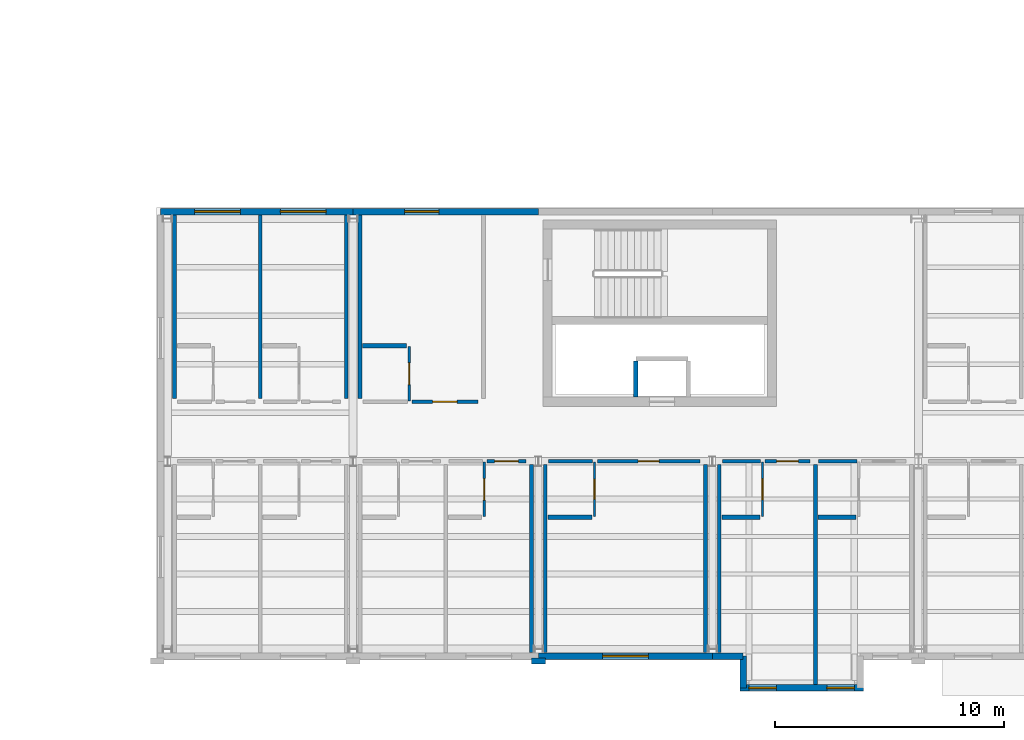
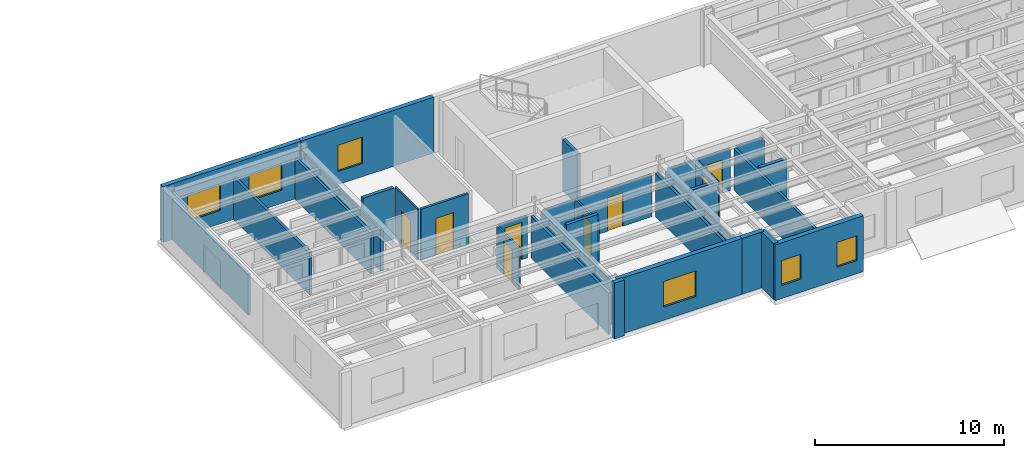
# One storey, part 15 of 34: 32 walls, 8 doors, 6 windows, 14 openings.
"""IFC4 building model written with IfcOpenShell, lengths in metres."""

from ifc_helpers import new_model, si_unit, direction, frame, frame_2d, origin, place, context, subcontext, project, spatial, rectangle, extrude, material, layer, layer_set, type_object, element, fill, save


model = new_model("IFC4")

# Units and contexts
model_context = context("Model", 3, precision=1e-05, world=origin(), true_north=direction((0.0, 1.0)))
body_context = subcontext(model_context, "Body", "Model", "MODEL_VIEW")
ifc_project = project(units=[si_unit("LENGTHUNIT", "METRE"), si_unit("AREAUNIT", "SQUARE_METRE"), si_unit("VOLUMEUNIT", "CUBIC_METRE"), si_unit("PLANEANGLEUNIT", "RADIAN"), si_unit("MASSUNIT", "GRAM", prefix="KILO")], contexts=[model_context])

# Site, building, storey
site_placement = place(None, origin())
site = spatial("IfcSite", under=ifc_project, at=site_placement, CompositionType="ELEMENT")
building_placement = place(site_placement, origin())
building = spatial("IfcBuilding", under=site, at=building_placement, Name="Sollismere Congress Hotel", CompositionType="ELEMENT")
storey_placement = place(building_placement, frame((0.0, 0.0, 23.39990234375)))
storey = spatial("IfcBuildingStorey", under=building, at=storey_placement, Name="L05", CompositionType="ELEMENT", Elevation=23.39990234375)

# Wall, opening, window
ifc_material_1 = material(Name="Colorado Buff Sandstone Rainscreen on Insulated Backup", Category="masonry")
ifc_layer_1 = layer(ifc_material_1, 0.284912109375, Name="Colorado Buff Sandstone Rainscreen on Insulated Backup")
ifc_layer_set_1 = layer_set([ifc_layer_1], Name="Colorado Buff Sandstone Rainscreen on Insulated Backup")
wall_type_1 = type_object("IfcWallType", Name="WL-EXT285", PredefinedType="STANDARD", material=ifc_layer_set_1)
wall_1_placement = place(storey_placement, frame((50.39990234375, -0.31005859375, 0.0), z_axis=(0.0, 0.0, 1.0), x_axis=(1.0, 0.0, 0.0)))
wall_1 = element("IfcWall", 1, at=wall_1_placement, inside=storey, type_object=wall_type_1, Name="Exterior wall EW-L05-569", PredefinedType="STANDARD", context=body_context, shape_type="SweptSolid", body=[
    extrude(rectangle(XDim=7.60009765625, YDim=0.284912109375, at=frame_2d((3.800048828125, 0.0))), origin(), (0.0, 0.0, 1.0), 3.60009765625),
])
opening_1_placement = place(wall_1_placement, frame((2.800048828125, 0.0, 0.85009765625)))
opening_1 = element("IfcOpeningElement", 2, at=opening_1_placement, cuts=wall_1, Name="Opening W-L05-429", PredefinedType="OPENING", context=body_context, shape_type="SweptSolid", body=[
    extrude(rectangle(XDim=2.0, YDim=1.64990234375, at=frame_2d((1.0, 0.824951171875))), frame((0.0, 0.15234375, 0.0), z_axis=(0.0, -1.0, 0.0), x_axis=(1.0, 0.0, 0.0)), (0.0, 0.0, 1.0), 0.304931640625),
])
ifc_material_2 = material(Name="Thermally Broken Bronze Aluminum & Low-E Glass", Category="aluminium")
window_type_1 = type_object("IfcWindowType", Name="WN-P200x165", PartitioningType="SINGLE_PANEL", PredefinedType="WINDOW", material=ifc_material_2)
window_1_placement = place(opening_1_placement, origin())
window_1 = element("IfcWindow", 3, at=window_1_placement, inside=storey, type_object=window_type_1, Name="WIN-W-L05-429", OverallHeight=1.64990234375, OverallWidth=2.0, PartitioningType="SINGLE_PANEL", PredefinedType="WINDOW", context=body_context, shape_type="SweptSolid", body=[
    extrude(rectangle(XDim=2.0, YDim=1.64990234375, at=frame_2d((1.0, 0.824951171875))), frame((0.0, 0.030029296875, 0.0), z_axis=(0.0, -1.0, 0.0), x_axis=(1.0, 0.0, 0.0)), (0.0, 0.0, 1.0), 0.06005859375),
])
fill(opening_1, window_1)

# Wall
wall_2_placement = place(storey_placement, frame((58.0, -0.31005859375, 0.0), z_axis=(0.0, 0.0, 1.0), x_axis=(1.0, 0.0, 0.0)))
element("IfcWall", 4, at=wall_2_placement, inside=storey, type_object=wall_type_1, Name="Exterior wall EW-L05-571", PredefinedType="STANDARD", context=body_context, shape_type="SweptSolid", body=[
    extrude(rectangle(XDim=1.340087890625, YDim=0.284912109375, at=frame_2d((0.669921875, 0.0))), origin(), (0.0, 0.0, 1.0), 3.60009765625),
])

# Wall, openings, windows
wall_3_placement = place(storey_placement, frame((59.199951171875, -1.699951171875, 0.0), z_axis=(0.0, 0.0, 1.0), x_axis=(1.0, 0.0, 0.0)))
wall_3 = element("IfcWall", 5, at=wall_3_placement, inside=storey, type_object=wall_type_1, Name="Exterior wall EW-L05-573", PredefinedType="STANDARD", context=body_context, shape_type="SweptSolid", body=[
    extrude(rectangle(XDim=5.400146484375, YDim=0.284912109375, at=frame_2d((2.7001953125, 0.0))), origin(), (0.0, 0.0, 1.0), 3.60009765625),
])
opening_2_placement = place(wall_3_placement, frame((0.39990234375, 0.0, 0.85009765625)))
opening_2 = element("IfcOpeningElement", 6, at=opening_2_placement, cuts=wall_3, Name="Opening W-L05-431", PredefinedType="OPENING", context=body_context, shape_type="SweptSolid", body=[
    extrude(rectangle(XDim=1.199951171875, YDim=1.60009765625, at=frame_2d((0.60009765625, 0.800048828125))), frame((0.0, 0.15234375, 0.0), z_axis=(0.0, -1.0, 0.0), x_axis=(1.0, 0.0, 0.0)), (0.0, 0.0, 1.0), 0.304931640625),
])
opening_3_placement = place(wall_3_placement, frame((3.800048828125, 0.0, 0.85009765625)))
opening_3 = element("IfcOpeningElement", 7, at=opening_3_placement, cuts=wall_3, Name="Opening W-L05-432", PredefinedType="OPENING", context=body_context, shape_type="SweptSolid", body=[
    extrude(rectangle(XDim=1.199951171875, YDim=1.60009765625, at=frame_2d((0.60009765625, 0.800048828125))), frame((0.0, 0.15234375, 0.0), z_axis=(0.0, -1.0, 0.0), x_axis=(1.0, 0.0, 0.0)), (0.0, 0.0, 1.0), 0.304931640625),
])
window_type_2 = type_object("IfcWindowType", Name="WN-P120x160", PartitioningType="SINGLE_PANEL", PredefinedType="WINDOW", material=ifc_material_2)
window_2_placement = place(opening_2_placement, origin())
window_2 = element("IfcWindow", 8, at=window_2_placement, inside=storey, type_object=window_type_2, Name="WIN-W-L05-431", OverallHeight=1.60009765625, OverallWidth=1.199951171875, PartitioningType="SINGLE_PANEL", PredefinedType="WINDOW", context=body_context, shape_type="SweptSolid", body=[
    extrude(rectangle(XDim=1.199951171875, YDim=1.60009765625, at=frame_2d((0.60009765625, 0.800048828125))), frame((0.0, 0.030029296875, 0.0), z_axis=(0.0, -1.0, 0.0), x_axis=(1.0, 0.0, 0.0)), (0.0, 0.0, 1.0), 0.06005859375),
])
fill(opening_2, window_2)
window_3_placement = place(opening_3_placement, origin())
window_3 = element("IfcWindow", 9, at=window_3_placement, inside=storey, type_object=window_type_2, Name="WIN-W-L05-432", OverallHeight=1.60009765625, OverallWidth=1.199951171875, PartitioningType="SINGLE_PANEL", PredefinedType="WINDOW", context=body_context, shape_type="SweptSolid", body=[
    extrude(rectangle(XDim=1.199951171875, YDim=1.60009765625, at=frame_2d((0.60009765625, 0.800048828125))), frame((0.0, 0.030029296875, 0.0), z_axis=(0.0, -1.0, 0.0), x_axis=(1.0, 0.0, 0.0)), (0.0, 0.0, 1.0), 0.06005859375),
])
fill(opening_3, window_3)

# Wall
wall_4_placement = place(storey_placement, frame((59.340087890625, -0.31005859375, 0.0), z_axis=(0.0, 0.0, 1.0), x_axis=(0.0, -1.0, 0.0)))
element("IfcWall", 10, at=wall_4_placement, inside=storey, type_object=wall_type_1, Name="Exterior wall EW-L05-574", PredefinedType="STANDARD", context=body_context, shape_type="SweptSolid", body=[
    extrude(rectangle(XDim=1.389892578125, YDim=0.284912109375, at=frame_2d((0.69482421875, 0.0))), origin(), (0.0, 0.0, 1.0), 3.60009765625),
])

# Wall, openings, windows
wall_5_placement = place(storey_placement, frame((42.300048828125, 19.110107421875, 0.0), z_axis=(0.0, 0.0, 1.0), x_axis=(-1.0, 0.0, 0.0)))
wall_5 = element("IfcWall", 11, at=wall_5_placement, inside=storey, type_object=wall_type_1, Name="Exterior wall EW-L05-630", PredefinedType="STANDARD", context=body_context, shape_type="SweptSolid", body=[
    extrude(rectangle(XDim=8.41015625, YDim=0.284912109375, at=frame_2d((4.205078125, 0.0))), origin(), (0.0, 0.0, 1.0), 3.60009765625),
])
opening_4_placement = place(wall_5_placement, frame((4.925048828125, 0.0, 0.85009765625)))
opening_4 = element("IfcOpeningElement", 12, at=opening_4_placement, cuts=wall_5, Name="Opening W-L05-463", PredefinedType="OPENING", context=body_context, shape_type="SweptSolid", body=[
    extrude(rectangle(XDim=2.0, YDim=1.64990234375, at=frame_2d((1.0, 0.824951171875))), frame((0.0, 0.15234375, 0.0), z_axis=(0.0, -1.0, 0.0), x_axis=(1.0, 0.0, 0.0)), (0.0, 0.0, 1.0), 0.304931640625),
])
opening_5_placement = place(wall_5_placement, frame((1.175048828125, 0.0, 0.85009765625)))
opening_5 = element("IfcOpeningElement", 13, at=opening_5_placement, cuts=wall_5, Name="Opening W-L05-464", PredefinedType="OPENING", context=body_context, shape_type="SweptSolid", body=[
    extrude(rectangle(XDim=2.0, YDim=1.64990234375, at=frame_2d((1.0, 0.824951171875))), frame((0.0, 0.15234375, 0.0), z_axis=(0.0, -1.0, 0.0), x_axis=(1.0, 0.0, 0.0)), (0.0, 0.0, 1.0), 0.304931640625),
])
window_4_placement = place(opening_4_placement, origin())
window_4 = element("IfcWindow", 14, at=window_4_placement, inside=storey, type_object=window_type_1, Name="WIN-W-L05-463", OverallHeight=1.64990234375, OverallWidth=2.0, PartitioningType="SINGLE_PANEL", PredefinedType="WINDOW", context=body_context, shape_type="SweptSolid", body=[
    extrude(rectangle(XDim=2.0, YDim=1.64990234375, at=frame_2d((1.0, 0.824951171875))), frame((0.0, 0.030029296875, 0.0), z_axis=(0.0, -1.0, 0.0), x_axis=(1.0, 0.0, 0.0)), (0.0, 0.0, 1.0), 0.06005859375),
])
fill(opening_4, window_4)
window_5_placement = place(opening_5_placement, origin())
window_5 = element("IfcWindow", 15, at=window_5_placement, inside=storey, type_object=window_type_1, Name="WIN-W-L05-464", OverallHeight=1.64990234375, OverallWidth=2.0, PartitioningType="SINGLE_PANEL", PredefinedType="WINDOW", context=body_context, shape_type="SweptSolid", body=[
    extrude(rectangle(XDim=2.0, YDim=1.64990234375, at=frame_2d((1.0, 0.824951171875))), frame((0.0, 0.030029296875, 0.0), z_axis=(0.0, -1.0, 0.0), x_axis=(1.0, 0.0, 0.0)), (0.0, 0.0, 1.0), 0.06005859375),
])
fill(opening_5, window_5)

# Wall, opening, window
wall_6_placement = place(storey_placement, frame((50.39990234375, 19.110107421875, 0.0), z_axis=(0.0, 0.0, 1.0), x_axis=(-1.0, 0.0, 0.0)))
wall_6 = element("IfcWall", 16, at=wall_6_placement, inside=storey, type_object=wall_type_1, Name="Exterior wall EW-L05-631", PredefinedType="STANDARD", context=body_context, shape_type="SweptSolid", body=[
    extrude(rectangle(XDim=8.099853515625, YDim=0.284912109375, at=frame_2d((4.0498046875, 0.0))), origin(), (0.0, 0.0, 1.0), 3.60009765625),
])
opening_6_placement = place(wall_6_placement, frame((4.35009765625, 0.0, 0.85009765625)))
opening_6 = element("IfcOpeningElement", 17, at=opening_6_placement, cuts=wall_6, Name="Opening W-L05-465", PredefinedType="OPENING", context=body_context, shape_type="SweptSolid", body=[
    extrude(rectangle(XDim=1.5, YDim=1.699951171875, at=frame_2d((0.75, 0.85009765625))), frame((0.0, 0.15234375, 0.0), z_axis=(0.0, -1.0, 0.0), x_axis=(1.0, 0.0, 0.0)), (0.0, 0.0, 1.0), 0.304931640625),
])
window_type_3 = type_object("IfcWindowType", Name="WN-P150x170", PartitioningType="SINGLE_PANEL", PredefinedType="WINDOW", material=ifc_material_2)
window_6_placement = place(opening_6_placement, origin())
window_6 = element("IfcWindow", 18, at=window_6_placement, inside=storey, type_object=window_type_3, Name="WIN-W-L05-465", OverallHeight=1.699951171875, OverallWidth=1.5, PartitioningType="SINGLE_PANEL", PredefinedType="WINDOW", context=body_context, shape_type="SweptSolid", body=[
    extrude(rectangle(XDim=1.5, YDim=1.699951171875, at=frame_2d((0.75, 0.85009765625))), frame((0.0, 0.030029296875, 0.0), z_axis=(0.0, -1.0, 0.0), x_axis=(1.0, 0.0, 0.0)), (0.0, 0.0, 1.0), 0.06005859375),
])
fill(opening_6, window_6)

# Walls
ifc_material_3 = material(Name="Carved Travertine Pilaster & Frieze Assembly", Category="masonry")
ifc_layer_2 = layer(ifc_material_3, 0.260009765625, Name="Carved Travertine Pilaster & Frieze Assembly")
ifc_layer_set_2 = layer_set([ifc_layer_2], Name="Carved Travertine Pilaster & Frieze Assembly")
wall_type_2 = type_object("IfcWallType", Name="WL-PIL280", PredefinedType="ELEMENTEDWALL", material=ifc_layer_set_2)
wall_7_placement = place(storey_placement, frame((50.10009765625, -0.52001953125, 0.0), z_axis=(0.0, 0.0, 1.0), x_axis=(1.0, 0.0, 0.0)))
element("IfcWall", 19, at=wall_7_placement, inside=storey, type_object=wall_type_2, Name="Exterior wall EW-L05-570", PredefinedType="ELEMENTEDWALL", context=body_context, shape_type="SweptSolid", body=[
    extrude(rectangle(XDim=0.599853515625, YDim=0.260009765625, at=frame_2d((0.2998046875, 0.0))), origin(), (0.0, 0.0, 1.0), 3.60009765625),
])
ifc_material_4 = material(Name="Moisture-Resistant Shaft Gypsum Assembly")
ifc_layer_3 = layer(ifc_material_4, 0.199951171875, Name="Moisture-Resistant Shaft Gypsum Assembly")
ifc_layer_set_3 = layer_set([ifc_layer_3], Name="Moisture-Resistant Shaft Gypsum Assembly")
wall_type_3 = type_object("IfcWallType", Name="WL-PLM200", PredefinedType="PLUMBINGWALL", material=ifc_layer_set_3)
wall_8_placement = place(storey_placement, frame((54.655029296875, 11.011962890625, 0.0), z_axis=(0.0, 0.0, 1.0), x_axis=(0.0, 1.0, 0.0)))
element("IfcWall", 20, at=wall_8_placement, inside=storey, type_object=wall_type_3, Name="Interior wall IW-L05-0725", PredefinedType="PLUMBINGWALL", context=body_context, shape_type="SweptSolid", body=[
    extrude(rectangle(XDim=1.56591796875, YDim=0.199951171875, at=frame_2d((0.782958984375, 0.0))), origin(), (0.0, 0.0, 1.0), 3.300048828125),
])
for number, where, z_axis, x_axis, name in (
    (21, (42.719970703125, 13.25, 0.0), (0.0, 0.0, 1.0), (1.0, 0.0, 0.0), "Interior wall IW-L05-1759"),
    (22, (50.820068359375, 5.75, 0.0), (0.0, 0.0, 1.0), (1.0, 0.0, 0.0), "Interior wall IW-L05-1765"),
):
    element("IfcWall", number, at=place(storey_placement, frame(where, z_axis=z_axis, x_axis=x_axis)), inside=storey, type_object=wall_type_3, Name=name, PredefinedType="PLUMBINGWALL", context=body_context, shape_type="SweptSolid", body=[
        extrude(rectangle(XDim=1.909912109375, YDim=0.199951171875, at=frame_2d((0.955078125, 0.0))), origin(), (0.0, 0.0, 1.0), 3.300048828125),
    ])
wall_9_placement = place(storey_placement, frame((58.419921875, 5.75, 0.0), z_axis=(0.0, 0.0, 1.0), x_axis=(1.0, 0.0, 0.0)))
element("IfcWall", 23, at=wall_9_placement, inside=storey, type_object=wall_type_3, Name="Interior wall IW-L05-1771", PredefinedType="PLUMBINGWALL", context=body_context, shape_type="SweptSolid", body=[
    extrude(rectangle(XDim=1.650146484375, YDim=0.199951171875, at=frame_2d((0.8251953125, 0.0))), origin(), (0.0, 0.0, 1.0), 2.85302734375),
])
wall_10_placement = place(storey_placement, frame((62.6201171875, 5.75, 0.0), z_axis=(0.0, 0.0, 1.0), x_axis=(1.0, 0.0, 0.0)))
element("IfcWall", 24, at=wall_10_placement, inside=storey, type_object=wall_type_3, Name="Interior wall IW-L05-1776", PredefinedType="PLUMBINGWALL", context=body_context, shape_type="SweptSolid", body=[
    extrude(rectangle(XDim=1.64990234375, YDim=0.199951171875, at=frame_2d((0.824951171875, 0.0))), origin(), (0.0, 0.0, 1.0), 2.85302734375),
])

# Wall, opening, door
ifc_material_5 = material(Name="Moisture-Resistant Gypsum Partition")
ifc_layer_4 = layer(ifc_material_5, 0.10009765625, Name="Moisture-Resistant Gypsum Partition")
ifc_layer_set_4 = layer_set([ifc_layer_4], Name="Moisture-Resistant Gypsum Partition")
wall_type_4 = type_object("IfcWallType", Name="WL-PRT100", PredefinedType="PARTITIONING", material=ifc_layer_set_4)
wall_11_placement = place(storey_placement, frame((48.0380859375, 5.7900390625, 0.0), z_axis=(0.0, 0.0, 1.0), x_axis=(0.0, 1.0, 0.0)))
wall_11 = element("IfcWall", 25, at=wall_11_placement, inside=storey, type_object=wall_type_4, Name="Interior wall IW-L05-1752", PredefinedType="PARTITIONING", context=body_context, shape_type="SweptSolid", body=[
    extrude(rectangle(XDim=2.369873046875, YDim=0.10009765625, at=frame_2d((1.18505859375, 0.0))), origin(), (0.0, 0.0, 1.0), 2.713134765625),
])
opening_7_placement = place(wall_11_placement, frame((0.719970703125, 0.0, 0.0)))
opening_7 = element("IfcOpeningElement", 26, at=opening_7_placement, cuts=wall_11, Name="Opening D-L05-0618", PredefinedType="OPENING", context=body_context, shape_type="SweptSolid", body=[
    extrude(rectangle(XDim=0.929931640625, YDim=2.139892578125, at=frame_2d((0.46484375, 1.06982421875))), frame((0.0, 0.06005859375, 0.0), z_axis=(0.0, -1.0, 0.0), x_axis=(1.0, 0.0, 0.0)), (0.0, 0.0, 1.0), 0.1201171875),
])
ifc_material_6 = material(Name="Moisture-Sealed Timber Bathroom Door", Category="wood")
door_type_1 = type_object("IfcDoorType", Name="DR-BT03", OperationType="NOTDEFINED", PredefinedType="DOOR", material=ifc_material_6)
door_1_placement = place(opening_7_placement, origin())
door_1 = element("IfcDoor", 27, at=door_1_placement, inside=storey, type_object=door_type_1, Name="En-suite bathroom door D-L05-0618", OperationType="SINGLE_SWING_LEFT", OverallHeight=2.139892578125, OverallWidth=0.929931640625, PredefinedType="DOOR", context=body_context, shape_type="SweptSolid", body=[
    extrude(rectangle(XDim=0.929931640625, YDim=2.139892578125, at=frame_2d((0.46484375, 1.06982421875))), frame((0.0, 0.02490234375, 0.0), z_axis=(0.0, -1.0, 0.0), x_axis=(1.0, 0.0, 0.0)), (0.0, 0.0, 1.0), 0.050048828125),
])
fill(opening_7, door_1)

wall_12_placement = place(storey_placement, frame((44.75, 10.840087890625, 0.0), z_axis=(0.0, 0.0, 1.0), x_axis=(0.0, 1.0, 0.0)))
wall_12 = element("IfcWall", 28, at=wall_12_placement, inside=storey, type_object=wall_type_4, Name="Interior wall IW-L05-1758", PredefinedType="PARTITIONING", context=body_context, shape_type="SweptSolid", body=[
    extrude(rectangle(XDim=2.369873046875, YDim=0.10009765625, at=frame_2d((1.18505859375, 0.0))), origin(), (0.0, 0.0, 1.0), 3.300048828125),
])
opening_8_placement = place(wall_12_placement, frame((0.7080078125, 0.0, 0.0)))
opening_8 = element("IfcOpeningElement", 29, at=opening_8_placement, cuts=wall_12, Name="Opening D-L05-0620", PredefinedType="OPENING", context=body_context, shape_type="SweptSolid", body=[
    extrude(rectangle(XDim=0.955078125, YDim=2.139892578125, at=frame_2d((0.4775390625, 1.06982421875))), frame((0.0, 0.06005859375, 0.0), z_axis=(0.0, -1.0, 0.0), x_axis=(1.0, 0.0, 0.0)), (0.0, 0.0, 1.0), 0.1201171875),
])
door_type_2 = type_object("IfcDoorType", Name="DR-BT04", OperationType="NOTDEFINED", PredefinedType="DOOR", material=ifc_material_6)
door_2_placement = place(opening_8_placement, origin())
door_2 = element("IfcDoor", 30, at=door_2_placement, inside=storey, type_object=door_type_2, Name="En-suite bathroom door D-L05-0620", OperationType="SINGLE_SWING_LEFT", OverallHeight=2.139892578125, OverallWidth=0.955078125, PredefinedType="DOOR", context=body_context, shape_type="SweptSolid", body=[
    extrude(rectangle(XDim=0.955078125, YDim=2.139892578125, at=frame_2d((0.4775390625, 1.06982421875))), frame((0.0, 0.02490234375, 0.0), z_axis=(0.0, -1.0, 0.0), x_axis=(1.0, 0.0, 0.0)), (0.0, 0.0, 1.0), 0.050048828125),
])
fill(opening_8, door_2)

wall_13_placement = place(storey_placement, frame((52.85009765625, 5.7900390625, 0.0), z_axis=(0.0, 0.0, 1.0), x_axis=(0.0, 1.0, 0.0)))
wall_13 = element("IfcWall", 31, at=wall_13_placement, inside=storey, type_object=wall_type_4, Name="Interior wall IW-L05-1764", PredefinedType="PARTITIONING", context=body_context, shape_type="SweptSolid", body=[
    extrude(rectangle(XDim=2.369873046875, YDim=0.10009765625, at=frame_2d((1.18505859375, 0.0))), origin(), (0.0, 0.0, 1.0), 2.713134765625),
])
opening_9_placement = place(wall_13_placement, frame((0.7451171875, 0.0, 0.0)))
opening_9 = element("IfcOpeningElement", 32, at=opening_9_placement, cuts=wall_13, Name="Opening D-L05-0622", PredefinedType="OPENING", context=body_context, shape_type="SweptSolid", body=[
    extrude(rectangle(XDim=0.8798828125, YDim=2.179931640625, at=frame_2d((0.43994140625, 1.08984375))), frame((0.0, 0.06005859375, 0.0), z_axis=(0.0, -1.0, 0.0), x_axis=(1.0, 0.0, 0.0)), (0.0, 0.0, 1.0), 0.1201171875),
])
door_type_3 = type_object("IfcDoorType", Name="DR-BT05", OperationType="NOTDEFINED", PredefinedType="DOOR", material=ifc_material_6)
door_3_placement = place(opening_9_placement, origin())
door_3 = element("IfcDoor", 33, at=door_3_placement, inside=storey, type_object=door_type_3, Name="En-suite bathroom door D-L05-0622", OperationType="SINGLE_SWING_LEFT", OverallHeight=2.179931640625, OverallWidth=0.8798828125, PredefinedType="DOOR", context=body_context, shape_type="SweptSolid", body=[
    extrude(rectangle(XDim=0.8798828125, YDim=2.179931640625, at=frame_2d((0.43994140625, 1.08984375))), frame((0.0, 0.02490234375, 0.0), z_axis=(0.0, -1.0, 0.0), x_axis=(1.0, 0.0, 0.0)), (0.0, 0.0, 1.0), 0.050048828125),
])
fill(opening_9, door_3)

wall_14_placement = place(storey_placement, frame((60.18994140625, 5.7900390625, 0.0), z_axis=(0.0, 0.0, 1.0), x_axis=(0.0, 1.0, 0.0)))
wall_14 = element("IfcWall", 34, at=wall_14_placement, inside=storey, type_object=wall_type_4, Name="Interior wall IW-L05-1770", PredefinedType="PARTITIONING", context=body_context, shape_type="SweptSolid", body=[
    extrude(rectangle(XDim=2.369873046875, YDim=0.10009765625, at=frame_2d((1.18505859375, 0.0))), origin(), (0.0, 0.0, 1.0), 2.713134765625),
])
opening_10_placement = place(wall_14_placement, frame((0.73291015625, 0.0, 0.0)))
opening_10 = element("IfcOpeningElement", 35, at=opening_10_placement, cuts=wall_14, Name="Opening D-L05-0624", PredefinedType="OPENING", context=body_context, shape_type="SweptSolid", body=[
    extrude(rectangle(XDim=0.905029296875, YDim=2.179931640625, at=frame_2d((0.45263671875, 1.08984375))), frame((0.0, 0.06005859375, 0.0), z_axis=(0.0, -1.0, 0.0), x_axis=(1.0, 0.0, 0.0)), (0.0, 0.0, 1.0), 0.1201171875),
])
door_type_4 = type_object("IfcDoorType", Name="DR-BT06", OperationType="NOTDEFINED", PredefinedType="DOOR", material=ifc_material_6)
door_4_placement = place(opening_10_placement, origin())
door_4 = element("IfcDoor", 36, at=door_4_placement, inside=storey, type_object=door_type_4, Name="En-suite bathroom door D-L05-0624", OperationType="SINGLE_SWING_LEFT", OverallHeight=2.179931640625, OverallWidth=0.905029296875, PredefinedType="DOOR", context=body_context, shape_type="SweptSolid", body=[
    extrude(rectangle(XDim=0.905029296875, YDim=2.179931640625, at=frame_2d((0.45263671875, 1.08984375))), frame((0.0, 0.02490234375, 0.0), z_axis=(0.0, -1.0, 0.0), x_axis=(1.0, 0.0, 0.0)), (0.0, 0.0, 1.0), 0.050048828125),
])
fill(opening_10, door_4)

ifc_material_7 = material(Name="Fire-Rated Gypsum Partition")
ifc_layer_5 = layer(ifc_material_7, 0.139892578125, Name="Fire-Rated Gypsum Partition")
ifc_layer_set_5 = layer_set([ifc_layer_5], Name="Fire-Rated Gypsum Partition")
wall_type_5 = type_object("IfcWallType", Name="WL-PRT140R", PredefinedType="PARTITIONING", material=ifc_layer_set_5)
wall_15_placement = place(storey_placement, frame((48.157958984375, 8.199951171875, 0.0), z_axis=(0.0, 0.0, 1.0), x_axis=(1.0, 0.0, 0.0)))
wall_15 = element("IfcWall", 37, at=wall_15_placement, inside=storey, type_object=wall_type_5, Name="Interior wall IW-L05-1750", PredefinedType="PARTITIONING", context=body_context, shape_type="SweptSolid", body=[
    extrude(rectangle(XDim=1.7021484375, YDim=0.139892578125, at=frame_2d((0.85107421875, 0.0))), origin(), (0.0, 0.0, 1.0), 2.713134765625),
])
opening_11_placement = place(wall_15_placement, frame((0.3310546875, 0.0, 0.0)))
opening_11 = element("IfcOpeningElement", 38, at=opening_11_placement, cuts=wall_15, Name="Opening D-L05-0617", PredefinedType="OPENING", context=body_context, shape_type="SweptSolid", body=[
    extrude(rectangle(XDim=1.0400390625, YDim=2.39990234375, at=frame_2d((0.52001953125, 1.199951171875))), frame((0.0, 0.079833984375, 0.0), z_axis=(0.0, -1.0, 0.0), x_axis=(1.0, 0.0, 0.0)), (0.0, 0.0, 1.0), 0.159912109375),
])
ifc_material_8 = material(Name="Solid-Core Acoustic Walnut Guestroom Entry Door")
door_type_5 = type_object("IfcDoorType", Name="DR-KY11", OperationType="NOTDEFINED", PredefinedType="DOOR", material=ifc_material_8)
door_5_placement = place(opening_11_placement, origin())
door_5 = element("IfcDoor", 39, at=door_5_placement, inside=storey, type_object=door_type_5, Name="Hotel room entry door D-L05-0617", OperationType="SINGLE_SWING_RIGHT", OverallHeight=2.39990234375, OverallWidth=1.0400390625, PredefinedType="DOOR", context=body_context, shape_type="SweptSolid", body=[
    extrude(rectangle(XDim=1.0400390625, YDim=2.39990234375, at=frame_2d((0.52001953125, 1.199951171875))), frame((0.0, 0.02490234375, 0.0), z_axis=(0.0, -1.0, 0.0), x_axis=(1.0, 0.0, 0.0)), (0.0, 0.0, 1.0), 0.050048828125),
])
fill(opening_11, door_5)

wall_16_placement = place(storey_placement, frame((44.8701171875, 10.800048828125, 0.0), z_axis=(0.0, 0.0, 1.0), x_axis=(1.0, 0.0, 0.0)))
wall_16 = element("IfcWall", 40, at=wall_16_placement, inside=storey, type_object=wall_type_5, Name="Interior wall IW-L05-1755", PredefinedType="PARTITIONING", context=body_context, shape_type="SweptSolid", body=[
    extrude(rectangle(XDim=2.889892578125, YDim=0.139892578125, at=frame_2d((1.44482421875, 0.0))), origin(), (0.0, 0.0, 1.0), 3.300048828125),
])
opening_12_placement = place(wall_16_placement, frame((0.909912109375, 0.0, 0.0)))
opening_12 = element("IfcOpeningElement", 41, at=opening_12_placement, cuts=wall_16, Name="Opening D-L05-0619", PredefinedType="OPENING", context=body_context, shape_type="SweptSolid", body=[
    extrude(rectangle(XDim=1.070068359375, YDim=2.39990234375, at=frame_2d((0.53515625, 1.199951171875))), frame((0.0, 0.079833984375, 0.0), z_axis=(0.0, -1.0, 0.0), x_axis=(1.0, 0.0, 0.0)), (0.0, 0.0, 1.0), 0.159912109375),
])
door_type_6 = type_object("IfcDoorType", Name="DR-KY12", OperationType="NOTDEFINED", PredefinedType="DOOR", material=ifc_material_8)
door_6_placement = place(opening_12_placement, origin())
door_6 = element("IfcDoor", 42, at=door_6_placement, inside=storey, type_object=door_type_6, Name="Hotel room entry door D-L05-0619", OperationType="SINGLE_SWING_RIGHT", OverallHeight=2.39990234375, OverallWidth=1.070068359375, PredefinedType="DOOR", context=body_context, shape_type="SweptSolid", body=[
    extrude(rectangle(XDim=1.070068359375, YDim=2.39990234375, at=frame_2d((0.53515625, 1.199951171875))), frame((0.0, 0.02490234375, 0.0), z_axis=(0.0, -1.0, 0.0), x_axis=(1.0, 0.0, 0.0)), (0.0, 0.0, 1.0), 0.050048828125),
])
fill(opening_12, door_6)

# Wall
wall_17_placement = place(storey_placement, frame((50.840087890625, 8.199951171875, 0.0), z_axis=(0.0, 0.0, 1.0), x_axis=(1.0, 0.0, 0.0)))
element("IfcWall", 43, at=wall_17_placement, inside=storey, type_object=wall_type_5, Name="Interior wall IW-L05-1760", PredefinedType="PARTITIONING", context=body_context, shape_type="SweptSolid", body=[
    extrude(rectangle(XDim=1.929931640625, YDim=0.139892578125, at=frame_2d((0.96484375, 0.0))), origin(), (0.0, 0.0, 1.0), 2.713134765625),
])

# Wall, opening, door
wall_18_placement = place(storey_placement, frame((52.969970703125, 8.199951171875, 0.0), z_axis=(0.0, 0.0, 1.0), x_axis=(1.0, 0.0, 0.0)))
wall_18 = element("IfcWall", 44, at=wall_18_placement, inside=storey, type_object=wall_type_5, Name="Interior wall IW-L05-1761", PredefinedType="PARTITIONING", context=body_context, shape_type="SweptSolid", body=[
    extrude(rectangle(XDim=4.489990234375, YDim=0.139892578125, at=frame_2d((2.2451171875, 0.0))), origin(), (0.0, 0.0, 1.0), 2.713134765625),
])
opening_13_placement = place(wall_18_placement, frame((1.784912109375, 0.0, 0.0)))
opening_13 = element("IfcOpeningElement", 45, at=opening_13_placement, cuts=wall_18, Name="Opening D-L05-0621", PredefinedType="OPENING", context=body_context, shape_type="SweptSolid", body=[
    extrude(rectangle(XDim=0.919921875, YDim=2.14990234375, at=frame_2d((0.4599609375, 1.074951171875))), frame((0.0, 0.079833984375, 0.0), z_axis=(0.0, -1.0, 0.0), x_axis=(1.0, 0.0, 0.0)), (0.0, 0.0, 1.0), 0.159912109375),
])
door_type_7 = type_object("IfcDoorType", Name="DR-KY01", OperationType="NOTDEFINED", PredefinedType="DOOR", material=ifc_material_8)
door_7_placement = place(opening_13_placement, origin())
door_7 = element("IfcDoor", 46, at=door_7_placement, inside=storey, type_object=door_type_7, Name="Hotel room entry door D-L05-0621", OperationType="SINGLE_SWING_RIGHT", OverallHeight=2.14990234375, OverallWidth=0.919921875, PredefinedType="DOOR", context=body_context, shape_type="SweptSolid", body=[
    extrude(rectangle(XDim=0.919921875, YDim=2.14990234375, at=frame_2d((0.4599609375, 1.074951171875))), frame((0.0, 0.02490234375, 0.0), z_axis=(0.0, -1.0, 0.0), x_axis=(1.0, 0.0, 0.0)), (0.0, 0.0, 1.0), 0.050048828125),
])
fill(opening_13, door_7)

# Wall
wall_19_placement = place(storey_placement, frame((58.43994140625, 8.199951171875, 0.0), z_axis=(0.0, 0.0, 1.0), x_axis=(1.0, 0.0, 0.0)))
element("IfcWall", 47, at=wall_19_placement, inside=storey, type_object=wall_type_5, Name="Interior wall IW-L05-1766", PredefinedType="PARTITIONING", context=body_context, shape_type="SweptSolid", body=[
    extrude(rectangle(XDim=1.670166015625, YDim=0.139892578125, at=frame_2d((0.8349609375, 0.0))), origin(), (0.0, 0.0, 1.0), 2.713134765625),
])

# Wall, opening, door
wall_20_placement = place(storey_placement, frame((60.31005859375, 8.199951171875, 0.0), z_axis=(0.0, 0.0, 1.0), x_axis=(1.0, 0.0, 0.0)))
wall_20 = element("IfcWall", 48, at=wall_20_placement, inside=storey, type_object=wall_type_5, Name="Interior wall IW-L05-1767", PredefinedType="PARTITIONING", context=body_context, shape_type="SweptSolid", body=[
    extrude(rectangle(XDim=1.949951171875, YDim=0.139892578125, at=frame_2d((0.97509765625, 0.0))), origin(), (0.0, 0.0, 1.0), 2.713134765625),
])
opening_14_placement = place(wall_20_placement, frame((0.5, 0.0, 0.0)))
opening_14 = element("IfcOpeningElement", 49, at=opening_14_placement, cuts=wall_20, Name="Opening D-L05-0623", PredefinedType="OPENING", context=body_context, shape_type="SweptSolid", body=[
    extrude(rectangle(XDim=0.949951171875, YDim=2.14990234375, at=frame_2d((0.47509765625, 1.074951171875))), frame((0.0, 0.079833984375, 0.0), z_axis=(0.0, -1.0, 0.0), x_axis=(1.0, 0.0, 0.0)), (0.0, 0.0, 1.0), 0.159912109375),
])
door_type_8 = type_object("IfcDoorType", Name="DR-KY02", OperationType="NOTDEFINED", PredefinedType="DOOR", material=ifc_material_8)
door_8_placement = place(opening_14_placement, origin())
door_8 = element("IfcDoor", 50, at=door_8_placement, inside=storey, type_object=door_type_8, Name="Hotel room entry door D-L05-0623", OperationType="SINGLE_SWING_RIGHT", OverallHeight=2.14990234375, OverallWidth=0.949951171875, PredefinedType="DOOR", context=body_context, shape_type="SweptSolid", body=[
    extrude(rectangle(XDim=0.949951171875, YDim=2.14990234375, at=frame_2d((0.47509765625, 1.074951171875))), frame((0.0, 0.02490234375, 0.0), z_axis=(0.0, -1.0, 0.0), x_axis=(1.0, 0.0, 0.0)), (0.0, 0.0, 1.0), 0.050048828125),
])
fill(opening_14, door_8)

# Walls
wall_21_placement = place(storey_placement, frame((62.639892578125, 8.199951171875, 0.0), z_axis=(0.0, 0.0, 1.0), x_axis=(1.0, 0.0, 0.0)))
element("IfcWall", 51, at=wall_21_placement, inside=storey, type_object=wall_type_5, Name="Interior wall IW-L05-1772", PredefinedType="PARTITIONING", context=body_context, shape_type="SweptSolid", body=[
    extrude(rectangle(XDim=1.670166015625, YDim=0.139892578125, at=frame_2d((0.8349609375, 0.0))), origin(), (0.0, 0.0, 1.0), 2.713134765625),
])
ifc_material_9 = material(Name="Fire-Rated Acoustic Gypsum Partition")
ifc_layer_6 = layer(ifc_material_9, 0.1650390625, Name="Fire-Rated Acoustic Gypsum Partition")
ifc_layer_set_6 = layer_set([ifc_layer_6], Name="Fire-Rated Acoustic Gypsum Partition")
wall_type_6 = type_object("IfcWallType", Name="WL-PRT165R", PredefinedType="PARTITIONING", material=ifc_layer_set_6)
wall_22_placement = place(storey_placement, frame((34.5, 10.93994140625, 0.0), z_axis=(0.0, 0.0, 1.0), x_axis=(0.0, 1.0, 0.0)))
element("IfcWall", 52, at=wall_22_placement, inside=storey, type_object=wall_type_6, Name="Interior wall IW-L05-1734", PredefinedType="PARTITIONING", context=body_context, shape_type="SweptSolid", body=[
    extrude(rectangle(XDim=8.012451171875, YDim=0.1650390625, at=frame_2d((4.00634765625, 0.0))), origin(), (0.0, 0.0, 1.0), 2.629150390625),
])
wall_23_placement = place(storey_placement, frame((38.25, 10.93994140625, 0.0), z_axis=(0.0, 0.0, 1.0), x_axis=(0.0, 1.0, 0.0)))
element("IfcWall", 53, at=wall_23_placement, inside=storey, type_object=wall_type_6, Name="Interior wall IW-L05-1735", PredefinedType="PARTITIONING", context=body_context, shape_type="SweptSolid", body=[
    extrude(rectangle(XDim=8.012451171875, YDim=0.1650390625, at=frame_2d((4.00634765625, 0.0))), origin(), (0.0, 0.0, 1.0), 2.713134765625),
])
wall_24_placement = place(storey_placement, frame((42.0, 10.93994140625, 0.0), z_axis=(0.0, 0.0, 1.0), x_axis=(0.0, 1.0, 0.0)))
element("IfcWall", 54, at=wall_24_placement, inside=storey, type_object=wall_type_6, Name="Interior wall IW-L05-1740", PredefinedType="PARTITIONING", context=body_context, shape_type="SweptSolid", body=[
    extrude(rectangle(XDim=8.012451171875, YDim=0.1650390625, at=frame_2d((4.00634765625, 0.0))), origin(), (0.0, 0.0, 1.0), 2.629150390625),
])
wall_25_placement = place(storey_placement, frame((50.10009765625, -0.152587890625, 0.0), z_axis=(0.0, 0.0, 1.0), x_axis=(0.0, 1.0, 0.0)))
element("IfcWall", 55, at=wall_25_placement, inside=storey, type_object=wall_type_6, Name="Interior wall IW-L05-1751", PredefinedType="PARTITIONING", context=body_context, shape_type="SweptSolid", body=[
    extrude(rectangle(XDim=8.212646484375, YDim=0.1650390625, at=frame_2d((4.1064453125, 0.0))), origin(), (0.0, 0.0, 1.0), 2.690185546875),
])
wall_26_placement = place(storey_placement, frame((42.60009765625, 10.93994140625, 0.0), z_axis=(0.0, 0.0, 1.0), x_axis=(0.0, 1.0, 0.0)))
element("IfcWall", 56, at=wall_26_placement, inside=storey, type_object=wall_type_6, Name="Interior wall IW-L05-1756", PredefinedType="PARTITIONING", context=body_context, shape_type="SweptSolid", body=[
    extrude(rectangle(XDim=8.012451171875, YDim=0.1650390625, at=frame_2d((4.00634765625, 0.0))), origin(), (0.0, 0.0, 1.0), 2.629150390625),
])
for number, where, z_axis, x_axis, name in (
    (57, (50.699951171875, -0.152587890625, 0.0), (0.0, 0.0, 1.0), (0.0, 1.0, 0.0), "Interior wall IW-L05-1762"),
    (58, (57.699951171875, -0.152587890625, 0.0), (0.0, 0.0, 1.0), (0.0, 1.0, 0.0), "Interior wall IW-L05-1763"),
):
    element("IfcWall", number, at=place(storey_placement, frame(where, z_axis=z_axis, x_axis=x_axis)), inside=storey, type_object=wall_type_6, Name=name, PredefinedType="PARTITIONING", context=body_context, shape_type="SweptSolid", body=[
        extrude(rectangle(XDim=8.212646484375, YDim=0.1650390625, at=frame_2d((4.1064453125, 0.0))), origin(), (0.0, 0.0, 1.0), 2.774169921875),
    ])
wall_27_placement = place(storey_placement, frame((58.300048828125, -0.152587890625, 0.0), z_axis=(0.0, 0.0, 1.0), x_axis=(0.0, 1.0, 0.0)))
element("IfcWall", 59, at=wall_27_placement, inside=storey, type_object=wall_type_6, Name="Interior wall IW-L05-1768", PredefinedType="PARTITIONING", context=body_context, shape_type="SweptSolid", body=[
    extrude(rectangle(XDim=8.212646484375, YDim=0.1650390625, at=frame_2d((4.1064453125, 0.0))), origin(), (0.0, 0.0, 1.0), 2.690185546875),
])
wall_28_placement = place(storey_placement, frame((62.5, -1.54248046875, 0.0), z_axis=(0.0, 0.0, 1.0), x_axis=(0.0, 1.0, 0.0)))
element("IfcWall", 60, at=wall_28_placement, inside=storey, type_object=wall_type_6, Name="Interior wall IW-L05-1769", PredefinedType="PARTITIONING", context=body_context, shape_type="SweptSolid", body=[
    extrude(rectangle(XDim=9.6025390625, YDim=0.1650390625, at=frame_2d((4.80126953125, 0.0))), origin(), (0.0, 0.0, 1.0), 2.690185546875),
])

save(model, "model.ifc")
